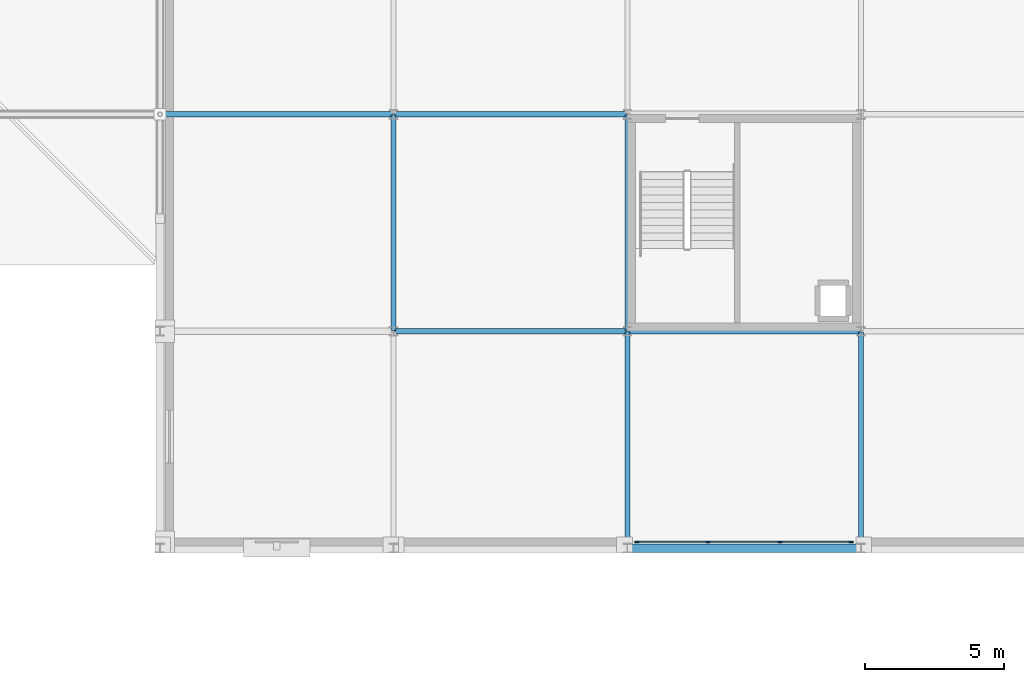
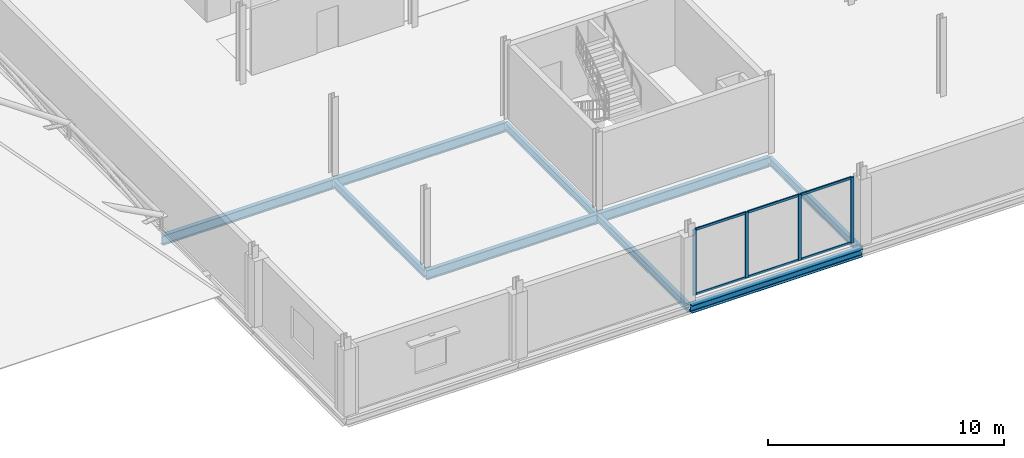
# One storey, part 38 of 77: 10 members, 9 beams, 1 element without a shape of its own.
"""IFC4 building model written with IfcOpenShell, lengths in metres."""

from ifc_helpers import new_model, si_unit, direction, frame, origin, origin_2d, place, context, subcontext, project, spatial, rectangle, i_section, extrude, material, material_profile, profile_set, type_object, element, aggregate, save


model = new_model("IFC4")

# Units and contexts
model_context = context("Model", 3, precision=1e-05, world=origin(), true_north=direction((0.0, 1.0)))
body_context = subcontext(model_context, "Body", "Model", "MODEL_VIEW")
ifc_project = project(units=[si_unit("LENGTHUNIT", "METRE"), si_unit("AREAUNIT", "SQUARE_METRE"), si_unit("VOLUMEUNIT", "CUBIC_METRE"), si_unit("PLANEANGLEUNIT", "RADIAN"), si_unit("MASSUNIT", "GRAM", prefix="KILO")], contexts=[model_context])

# Site, building, storey
site_placement = place(None, origin())
site = spatial("IfcSite", under=ifc_project, at=site_placement, CompositionType="ELEMENT")
building_placement = place(site_placement, origin())
building = spatial("IfcBuilding", under=site, at=building_placement, Name="Nabrawat Pavilion Hospital", CompositionType="ELEMENT")
storey_placement = place(building_placement, frame((0.0, 0.0, 14.85009765625)))
storey = spatial("IfcBuildingStorey", under=building, at=storey_placement, Name="L03", CompositionType="ELEMENT", Elevation=14.85009765625)

# Curtain wall, members
ifc_material_1 = material(Name="Anodised Aluminium", Category="aluminium")
curtain_wall_type = type_object("IfcCurtainWallType", Name="Outpatient Boulevard Curtain Wall", PredefinedType="USERDEFINED", material=ifc_material_1)
curtain_wall_placement = place(storey_placement, origin())
curtain_wall = element("IfcCurtainWall", 1, at=curtain_wall_placement, inside=storey, type_object=curtain_wall_type, Name="L03 Outpatient Boulevard Curtain Wall 143", ObjectType="CURTAIN WALL", PredefinedType="USERDEFINED")
ifc_material_profile_1 = material_profile(ifc_material_1, rectangle(XDim=0.06005859375, YDim=0.159912109375, at=origin_2d()), Name="CWM 60x160")
ifc_profile_set_1 = profile_set([ifc_material_profile_1], Name="Anodised Aluminium")
member_type_1 = type_object("IfcMemberType", Name="Outpatient Boulevard Curtain Wall Mullion CWM 60x160", PredefinedType="MULLION", material=ifc_profile_set_1)
member_1_placement = place(storey_placement, frame((143.14990234375, 0.219970703125, 0.0), z_axis=(0.0, 0.0, 1.0), x_axis=(0.0, 1.0, 0.0)))
member_1 = element("IfcMember", 2, at=member_1_placement, type_object=member_type_1, Name="CW-OPC-01 mullion 1", PredefinedType="MULLION", context=body_context, shape_type="SweptSolid", body=[
    extrude(rectangle(XDim=0.06005859375, YDim=0.159912109375, at=origin_2d()), origin(), (0.0, 0.0, 1.0), 3.39990234375),
])
member_2_placement = place(storey_placement, frame((145.706787109375, 0.219970703125, 0.0), z_axis=(0.0, 0.0, 1.0), x_axis=(0.0, 1.0, 0.0)))
member_2 = element("IfcMember", 3, at=member_2_placement, type_object=member_type_1, Name="CW-OPC-01 mullion 2", PredefinedType="MULLION", context=body_context, shape_type="SweptSolid", body=[
    extrude(rectangle(XDim=0.06005859375, YDim=0.159912109375, at=origin_2d()), origin(), (0.0, 0.0, 1.0), 3.39990234375),
])
member_3_placement = place(storey_placement, frame((148.293212890625, 0.219970703125, 0.0), z_axis=(0.0, 0.0, 1.0), x_axis=(0.0, 1.0, 0.0)))
member_3 = element("IfcMember", 4, at=member_3_placement, type_object=member_type_1, Name="CW-OPC-01 mullion 3", PredefinedType="MULLION", context=body_context, shape_type="SweptSolid", body=[
    extrude(rectangle(XDim=0.06005859375, YDim=0.159912109375, at=origin_2d()), origin(), (0.0, 0.0, 1.0), 3.39990234375),
])
member_4_placement = place(storey_placement, frame((150.85009765625, 0.219970703125, 0.0), z_axis=(0.0, 0.0, 1.0), x_axis=(0.0, 1.0, 0.0)))
member_4 = element("IfcMember", 5, at=member_4_placement, type_object=member_type_1, Name="CW-OPC-01 mullion 4", PredefinedType="MULLION", context=body_context, shape_type="SweptSolid", body=[
    extrude(rectangle(XDim=0.06005859375, YDim=0.159912109375, at=origin_2d()), origin(), (0.0, 0.0, 1.0), 3.39990234375),
])
ifc_material_profile_2 = material_profile(ifc_material_1, rectangle(XDim=0.06005859375, YDim=0.1201171875, at=origin_2d()), Name="CWT 60x120")
ifc_profile_set_2 = profile_set([ifc_material_profile_2], Name="Anodised Aluminium")
member_type_2 = type_object("IfcMemberType", Name="Outpatient Boulevard Curtain Wall Transom CWT 60x120", PredefinedType="USERDEFINED", material=ifc_profile_set_2)
member_5_placement = place(storey_placement, frame((143.179931640625, 0.219970703125, 0.02978515625), z_axis=(1.0, 0.0, 0.0), x_axis=(0.0, 1.0, 0.0)))
member_5 = element("IfcMember", 6, at=member_5_placement, type_object=member_type_2, Name="CW-OPC-01 transom 1.1", ObjectType="TRANSOM", PredefinedType="USERDEFINED", context=body_context, shape_type="SweptSolid", body=[
    extrude(rectangle(XDim=0.06005859375, YDim=0.1201171875, at=origin_2d()), origin(), (0.0, 0.0, 1.0), 2.496826171875),
])
member_6_placement = place(storey_placement, frame((143.179931640625, 0.219970703125, 3.369873046875), z_axis=(1.0, 0.0, 0.0), x_axis=(0.0, 1.0, 0.0)))
member_6 = element("IfcMember", 7, at=member_6_placement, type_object=member_type_2, Name="CW-OPC-01 transom 1.2", ObjectType="TRANSOM", PredefinedType="USERDEFINED", context=body_context, shape_type="SweptSolid", body=[
    extrude(rectangle(XDim=0.06005859375, YDim=0.1201171875, at=origin_2d()), origin(), (0.0, 0.0, 1.0), 2.496826171875),
])
member_7_placement = place(storey_placement, frame((145.736572265625, 0.219970703125, 0.02978515625), z_axis=(1.0, 0.0, 0.0), x_axis=(0.0, 1.0, 0.0)))
member_7 = element("IfcMember", 8, at=member_7_placement, type_object=member_type_2, Name="CW-OPC-01 transom 2.1", ObjectType="TRANSOM", PredefinedType="USERDEFINED", context=body_context, shape_type="SweptSolid", body=[
    extrude(rectangle(XDim=0.06005859375, YDim=0.1201171875, at=origin_2d()), origin(), (0.0, 0.0, 1.0), 2.52685546875),
])
member_8_placement = place(storey_placement, frame((145.736572265625, 0.219970703125, 3.369873046875), z_axis=(1.0, 0.0, 0.0), x_axis=(0.0, 1.0, 0.0)))
member_8 = element("IfcMember", 9, at=member_8_placement, type_object=member_type_2, Name="CW-OPC-01 transom 2.2", ObjectType="TRANSOM", PredefinedType="USERDEFINED", context=body_context, shape_type="SweptSolid", body=[
    extrude(rectangle(XDim=0.06005859375, YDim=0.1201171875, at=origin_2d()), origin(), (0.0, 0.0, 1.0), 2.52685546875),
])
member_9_placement = place(storey_placement, frame((148.3232421875, 0.219970703125, 0.02978515625), z_axis=(1.0, 0.0, 0.0), x_axis=(0.0, 1.0, 0.0)))
member_9 = element("IfcMember", 10, at=member_9_placement, type_object=member_type_2, Name="CW-OPC-01 transom 3.1", ObjectType="TRANSOM", PredefinedType="USERDEFINED", context=body_context, shape_type="SweptSolid", body=[
    extrude(rectangle(XDim=0.06005859375, YDim=0.1201171875, at=origin_2d()), origin(), (0.0, 0.0, 1.0), 2.496826171875),
])
member_10_placement = place(storey_placement, frame((148.3232421875, 0.219970703125, 3.369873046875), z_axis=(1.0, 0.0, 0.0), x_axis=(0.0, 1.0, 0.0)))
member_10 = element("IfcMember", 11, at=member_10_placement, type_object=member_type_2, Name="CW-OPC-01 transom 3.2", ObjectType="TRANSOM", PredefinedType="USERDEFINED", context=body_context, shape_type="SweptSolid", body=[
    extrude(rectangle(XDim=0.06005859375, YDim=0.1201171875, at=origin_2d()), origin(), (0.0, 0.0, 1.0), 2.496826171875),
])
aggregate(curtain_wall, [member_1, member_2, member_3, member_4, member_5, member_6, member_7, member_8, member_9, member_10])

# Beams
ifc_material_2 = material(Name="Steel S355", Category="steel")
ifc_material_profile_3 = material_profile(ifc_material_2, i_section(OverallWidth=0.300048828125, OverallDepth=0.389892578125, WebThickness=0.010986328125, FlangeThickness=0.01904296875, FilletRadius=0.027099609375, at=origin_2d()), Name="HEA 400")
ifc_profile_set_3 = profile_set([ifc_material_profile_3], Name="Steel S355")
beam_type_1 = type_object("IfcBeamType", Name="Perimeter Moment Spandrel Beam HEA 400", PredefinedType="SPANDREL", material=ifc_profile_set_3)
beam_1_placement = place(storey_placement, frame((142.820068359375, 0.0, -0.425048828125), z_axis=(1.0, 0.0, 0.0), x_axis=(0.0, 1.0, 0.0)))
element("IfcBeam", 12, at=beam_1_placement, inside=storey, type_object=beam_type_1, Name="L03 Primary X Girder 1416", PredefinedType="SPANDREL", context=body_context, shape_type="SweptSolid", body=[
    extrude(i_section(OverallWidth=0.300048828125, OverallDepth=0.389892578125, WebThickness=0.010986328125, FlangeThickness=0.01904296875, FilletRadius=0.027099609375, at=origin_2d()), origin(), (0.0, 0.0, 1.0), 8.35986328125),
])
ifc_material_profile_4 = material_profile(ifc_material_2, i_section(OverallWidth=0.199951171875, OverallDepth=0.5, WebThickness=0.01025390625, FlangeThickness=0.01611328125, FilletRadius=0.02099609375, at=origin_2d()), Name="IPE 500")
ifc_profile_set_4 = profile_set([ifc_material_profile_4], Name="Steel S355")
beam_type_2 = type_object("IfcBeamType", Name="Standard X Floor Girder IPE 500", PredefinedType="USERDEFINED", material=ifc_profile_set_4)
beam_2_placement = place(storey_placement, frame((134.419921875, 7.800048828125, -0.47998046875), z_axis=(1.0, 0.0, 0.0), x_axis=(0.0, 1.0, 0.0)))
element("IfcBeam", 13, at=beam_2_placement, inside=storey, type_object=beam_type_2, Name="L03 Primary X Girder 1423", ObjectType="GIRDER", PredefinedType="USERDEFINED", context=body_context, shape_type="SweptSolid", body=[
    extrude(i_section(OverallWidth=0.199951171875, OverallDepth=0.5, WebThickness=0.01025390625, FlangeThickness=0.01611328125, FilletRadius=0.02099609375, at=origin_2d()), origin(), (0.0, 0.0, 1.0), 8.360107421875),
])
for number, where, z_axis, x_axis, name in (
    (14, (142.820068359375, 7.800048828125, -0.47998046875), (1.0, 0.0, 0.0), (0.0, 1.0, 0.0), "L03 Primary X Girder 1424"),
    (15, (126.02001953125, 15.60009765625, -0.47998046875), (1.0, 0.0, 0.0), (0.0, 1.0, 0.0), "L03 Primary X Girder 1438"),
):
    element("IfcBeam", number, at=place(storey_placement, frame(where, z_axis=z_axis, x_axis=x_axis)), inside=storey, type_object=beam_type_2, Name=name, ObjectType="GIRDER", PredefinedType="USERDEFINED", context=body_context, shape_type="SweptSolid", body=[
        extrude(i_section(OverallWidth=0.199951171875, OverallDepth=0.5, WebThickness=0.01025390625, FlangeThickness=0.01611328125, FilletRadius=0.02099609375, at=origin_2d()), origin(), (0.0, 0.0, 1.0), 8.35986328125),
    ])
beam_3_placement = place(storey_placement, frame((134.419921875, 15.60009765625, -0.47998046875), z_axis=(1.0, 0.0, 0.0), x_axis=(0.0, 1.0, 0.0)))
element("IfcBeam", 16, at=beam_3_placement, inside=storey, type_object=beam_type_2, Name="L03 Primary X Girder 1439", ObjectType="GIRDER", PredefinedType="USERDEFINED", context=body_context, shape_type="SweptSolid", body=[
    extrude(i_section(OverallWidth=0.199951171875, OverallDepth=0.5, WebThickness=0.01025390625, FlangeThickness=0.01611328125, FilletRadius=0.02099609375, at=origin_2d()), origin(), (0.0, 0.0, 1.0), 8.360107421875),
])
ifc_material_profile_5 = material_profile(ifc_material_2, i_section(OverallWidth=0.179931640625, OverallDepth=0.39990234375, WebThickness=0.008544921875, FlangeThickness=0.013427734375, FilletRadius=0.02099609375, at=origin_2d()), Name="IPE 400")
ifc_profile_set_5 = profile_set([ifc_material_profile_5], Name="Steel S355")
beam_type_3 = type_object("IfcBeamType", Name="Standard Y Floor Beam IPE 400", PredefinedType="BEAM", material=ifc_profile_set_5)
for number, where, z_axis, x_axis, name in (
    (17, (134.39990234375, 7.820068359375, -0.43017578125), (0.0, 1.0, 0.0), (-1.0, 0.0, 0.0), "L03 Primary Y Beam 1641"),
    (18, (142.800048828125, 0.02001953125, -0.43017578125), (0.0, 1.0, 0.0), (-1.0, 0.0, 0.0), "L03 Primary Y Beam 1656"),
    (19, (142.800048828125, 7.820068359375, -0.43017578125), (0.0, 1.0, 0.0), (-1.0, 0.0, 0.0), "L03 Primary Y Beam 1657"),
    (20, (151.199951171875, 0.02001953125, -0.43017578125), (0.0, 1.0, 0.0), (-1.0, 0.0, 0.0), "L03 Primary Y Beam 1672"),
):
    element("IfcBeam", number, at=place(storey_placement, frame(where, z_axis=z_axis, x_axis=x_axis)), inside=storey, type_object=beam_type_3, Name=name, PredefinedType="BEAM", context=body_context, shape_type="SweptSolid", body=[
        extrude(i_section(OverallWidth=0.179931640625, OverallDepth=0.39990234375, WebThickness=0.008544921875, FlangeThickness=0.013427734375, FilletRadius=0.02099609375, at=origin_2d()), origin(), (0.0, 0.0, 1.0), 7.760009765625),
    ])

save(model, "model.ifc")
